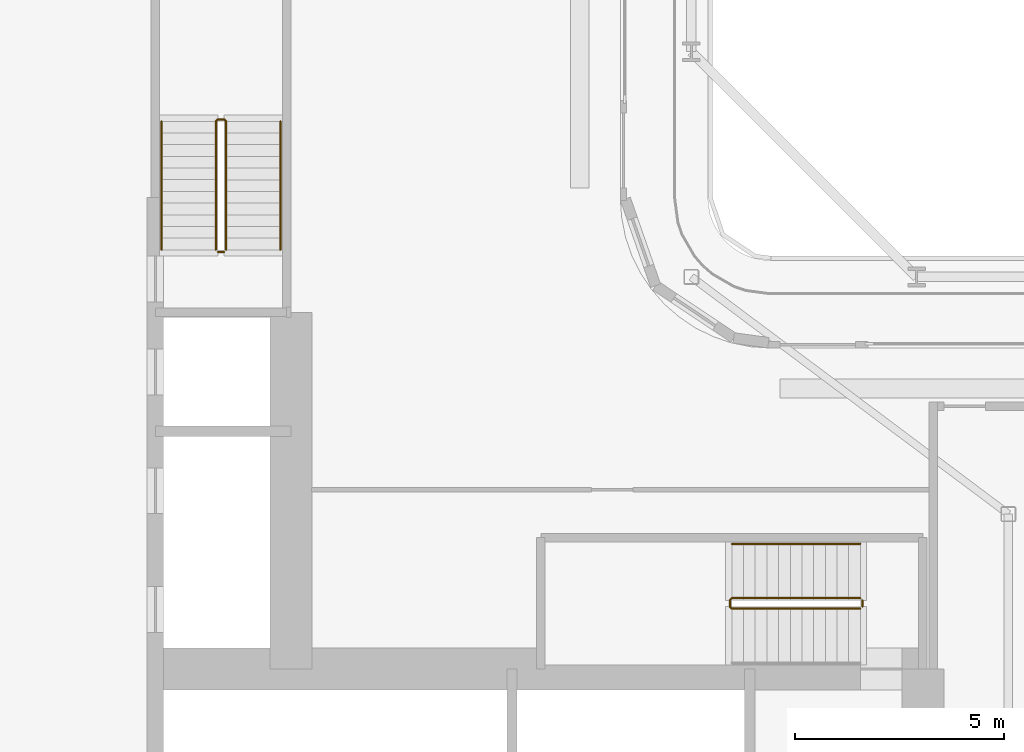
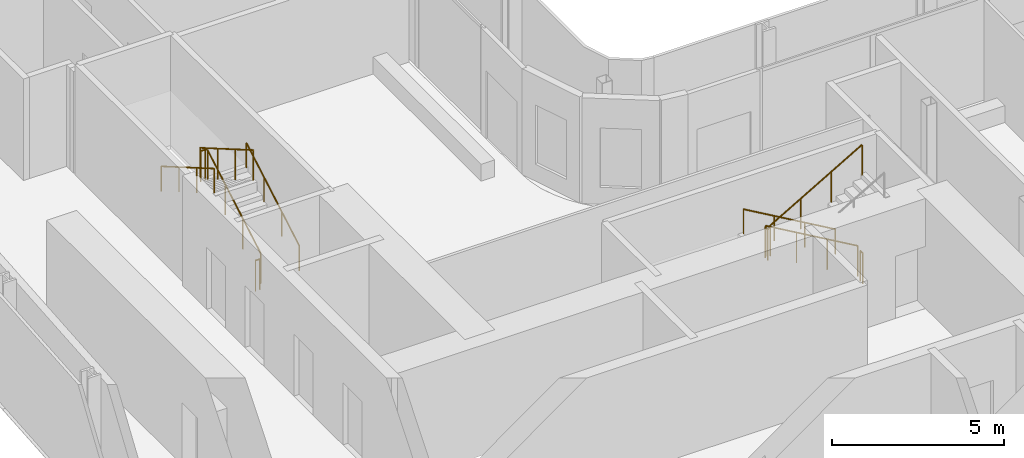
# One storey, part 22 of 27: 7 railings.
"""IFC4 building model written with IfcOpenShell, lengths in metres."""

from ifc_helpers import new_model, si_unit, direction, frame, origin, origin_2d, place, context, subcontext, project, spatial, circle, extrude, material, type_object, element, save


model = new_model("IFC4")

# Units and contexts
model_context = context("Model", 3, precision=1e-05, world=origin(), true_north=direction((0.0, 1.0)))
body_context = subcontext(model_context, "Body", "Model", "MODEL_VIEW")
ifc_project = project(units=[si_unit("LENGTHUNIT", "METRE"), si_unit("AREAUNIT", "SQUARE_METRE"), si_unit("VOLUMEUNIT", "CUBIC_METRE"), si_unit("PLANEANGLEUNIT", "RADIAN"), si_unit("MASSUNIT", "GRAM", prefix="KILO")], contexts=[model_context])

# Site, building, storey
site_placement = place(None, origin())
site = spatial("IfcSite", under=ifc_project, at=site_placement, CompositionType="ELEMENT")
building_placement = place(site_placement, origin())
building = spatial("IfcBuilding", under=site, at=building_placement, Name="Kheshtan School and Residences Tower", CompositionType="ELEMENT")
storey_placement = place(building_placement, frame((0.0, 0.0, 57.800048828125)))
storey = spatial("IfcBuildingStorey", under=building, at=storey_placement, Name="L13", CompositionType="ELEMENT", Elevation=57.800048828125)

# Railings
ifc_material_1 = material(Name="Stainless steel balustrade", Category="steel")
railing_type_1 = type_object("IfcRailingType", Name="Stair guard 1100", PredefinedType="GUARDRAIL", material=ifc_material_1)
railing_1_placement = place(storey_placement, frame((51.64990234375, 37.89990234375, 0.162353515625)))
element("IfcRailing", 1, at=railing_1_placement, inside=storey, type_object=railing_type_1, Name="L13 ST1 stair guard 1", PredefinedType="GUARDRAIL", context=body_context, shape_type="SweptSolid", body=[
    extrude(circle(Radius=0.02392578125, at=origin_2d()), frame((0.0, 0.0, 1.076171875), z_axis=(-0.864873446163, 0.0, 0.501989962173), x_axis=(0.0, -1.0, 0.0)), (0.0, 0.0, 1.0), 3.56103515625),
    extrude(circle(Radius=0.02392578125, at=origin_2d()), frame((-3.079833984375, 0.0, 2.86376953125), z_axis=(-0.708833529934, -0.705375805398, 0.0), x_axis=(0.705375805398, -0.708833529934, 0.0)), (0.0, 0.0, 1.0), 0.070556640625),
    extrude(circle(Radius=0.02392578125, at=origin_2d()), frame((-3.1298828125, -0.0498046875, 2.86376953125), z_axis=(0.0, -1.0, 0.0), x_axis=(1.0, 0.0, 0.0)), (0.0, 0.0, 1.0), 0.150146484375),
    extrude(circle(Radius=0.02392578125, at=origin_2d()), frame((-3.1298828125, -0.199951171875, 2.86376953125), z_axis=(0.282227285176, -0.282227285176, 0.916894497205), x_axis=(0.707106781187, 0.707106781187, 0.0)), (0.0, 0.0, 1.0), 0.17724609375),
    extrude(circle(Radius=0.02392578125, at=origin_2d()), frame((-3.079833984375, -0.25, 3.0263671875), z_axis=(0.864903211148, 0.0, 0.501938676878), x_axis=(0.0, 1.0, 0.0)), (0.0, 0.0, 1.0), 3.560791015625),
    extrude(circle(Radius=0.02099609375, at=origin_2d()), origin(), (0.0, 0.0, 1.0), 1.052001953125),
    extrude(circle(Radius=0.02099609375, at=origin_2d()), frame((-1.026611328125, 0.0, 0.595947265625)), (0.0, 0.0, 1.0), 1.052001953125),
    extrude(circle(Radius=0.02099609375, at=origin_2d()), frame((-2.05322265625, 0.0, 1.191650390625)), (0.0, 0.0, 1.0), 1.052001953125),
    extrude(circle(Radius=0.02099609375, at=origin_2d()), frame((-3.079833984375, 0.0, 1.78759765625)), (0.0, 0.0, 1.0), 1.052001953125),
    extrude(circle(Radius=0.02099609375, at=origin_2d()), frame((-3.1298828125, -0.0498046875, 1.78759765625)), (0.0, 0.0, 1.0), 1.052001953125),
    extrude(circle(Radius=0.02099609375, at=origin_2d()), frame((-3.1298828125, -0.199951171875, 1.78759765625)), (0.0, 0.0, 1.0), 1.052001953125),
    extrude(circle(Radius=0.02099609375, at=origin_2d()), frame((-3.079833984375, -0.25, 1.9501953125)), (0.0, 0.0, 1.0), 1.052001953125),
    extrude(circle(Radius=0.02099609375, at=origin_2d()), frame((-2.05322265625, -0.25, 2.5458984375)), (0.0, 0.0, 1.0), 1.052001953125),
    extrude(circle(Radius=0.02099609375, at=origin_2d()), frame((-1.026611328125, -0.25, 3.141845703125)), (0.0, 0.0, 1.0), 1.052001953125),
    extrude(circle(Radius=0.02099609375, at=origin_2d()), frame((0.0, -0.25, 3.737548828125)), (0.0, 0.0, 1.0), 1.052001953125),
])
railing_2_placement = place(storey_placement, frame((51.699951171875, 37.85009765625, 0.0)))
element("IfcRailing", 2, at=railing_2_placement, inside=storey, type_object=railing_type_1, Name="L13 ST1 stair guard 2", PredefinedType="GUARDRAIL", context=body_context, shape_type="SweptSolid", body=[
    extrude(circle(Radius=0.02392578125, at=origin_2d()), frame((0.0, 0.0, 1.076171875), z_axis=(0.0, -1.0, 0.0), x_axis=(1.0, 0.0, 0.0)), (0.0, 0.0, 1.0), 0.150146484375),
    extrude(circle(Radius=0.02099609375, at=origin_2d()), origin(), (0.0, 0.0, 1.0), 1.052001953125),
    extrude(circle(Radius=0.02099609375, at=origin_2d()), frame((0.0, -0.150146484375, 0.0)), (0.0, 0.0, 1.0), 1.052001953125),
])
railing_3_placement = place(storey_placement, frame((36.449951171875, 46.25, 0.162353515625)))
element("IfcRailing", 3, at=railing_3_placement, inside=storey, type_object=railing_type_1, Name="L13 ST2 stair guard 1", PredefinedType="GUARDRAIL", context=body_context, shape_type="SweptSolid", body=[
    extrude(circle(Radius=0.02392578125, at=origin_2d()), frame((0.0, 0.0, 1.076171875), z_axis=(0.0, 0.864890721111, 0.501960198159), x_axis=(-1.0, 0.0, 0.0)), (0.0, 0.0, 1.0), 3.561279296875),
    extrude(circle(Radius=0.02392578125, at=origin_2d()), frame((0.0, 3.080078125, 2.86376953125), z_axis=(-0.708833529934, 0.705375805398, 0.0), x_axis=(-0.705375805398, -0.708833529934, 0.0)), (0.0, 0.0, 1.0), 0.070556640625),
    extrude(circle(Radius=0.02392578125, at=origin_2d()), frame((-0.050048828125, 3.1298828125, 2.86376953125), z_axis=(-1.0, 0.0, 0.0), x_axis=(0.0, -1.0, 0.0)), (0.0, 0.0, 1.0), 0.14990234375),
    extrude(circle(Radius=0.02392578125, at=origin_2d()), frame((-0.199951171875, 3.1298828125, 2.86376953125), z_axis=(-0.282336740067, -0.280959487676, 0.917250092119), x_axis=(0.705375805398, -0.708833529934, 0.0)), (0.0, 0.0, 1.0), 0.17724609375),
    extrude(circle(Radius=0.02392578125, at=origin_2d()), frame((-0.25, 3.080078125, 3.0263671875), z_axis=(0.0, -0.864920483161, 0.501908913857), x_axis=(1.0, 0.0, 0.0)), (0.0, 0.0, 1.0), 3.56103515625),
    extrude(circle(Radius=0.02099609375, at=origin_2d()), origin(), (0.0, 0.0, 1.0), 1.052001953125),
    extrude(circle(Radius=0.02099609375, at=origin_2d()), frame((0.0, 1.026611328125, 0.595947265625)), (0.0, 0.0, 1.0), 1.052001953125),
    extrude(circle(Radius=0.02099609375, at=origin_2d()), frame((0.0, 2.053466796875, 1.191650390625)), (0.0, 0.0, 1.0), 1.052001953125),
    extrude(circle(Radius=0.02099609375, at=origin_2d()), frame((0.0, 3.080078125, 1.78759765625)), (0.0, 0.0, 1.0), 1.052001953125),
    extrude(circle(Radius=0.02099609375, at=origin_2d()), frame((-0.050048828125, 3.1298828125, 1.78759765625)), (0.0, 0.0, 1.0), 1.052001953125),
    extrude(circle(Radius=0.02099609375, at=origin_2d()), frame((-0.199951171875, 3.1298828125, 1.78759765625)), (0.0, 0.0, 1.0), 1.052001953125),
    extrude(circle(Radius=0.02099609375, at=origin_2d()), frame((-0.25, 3.080078125, 1.9501953125)), (0.0, 0.0, 1.0), 1.052001953125),
    extrude(circle(Radius=0.02099609375, at=origin_2d()), frame((-0.25, 2.053466796875, 2.5458984375)), (0.0, 0.0, 1.0), 1.052001953125),
    extrude(circle(Radius=0.02099609375, at=origin_2d()), frame((-0.25, 1.026611328125, 3.141845703125)), (0.0, 0.0, 1.0), 1.052001953125),
    extrude(circle(Radius=0.02099609375, at=origin_2d()), frame((-0.25, 0.0, 3.737548828125)), (0.0, 0.0, 1.0), 1.052001953125),
])
railing_4_placement = place(storey_placement, frame((36.39990234375, 46.199951171875, 0.0)))
element("IfcRailing", 4, at=railing_4_placement, inside=storey, type_object=railing_type_1, Name="L13 ST2 stair guard 2", PredefinedType="GUARDRAIL", context=body_context, shape_type="SweptSolid", body=[
    extrude(circle(Radius=0.02392578125, at=origin_2d()), frame((0.0, 0.0, 1.076171875), z_axis=(-1.0, 0.0, 0.0), x_axis=(0.0, -1.0, 0.0)), (0.0, 0.0, 1.0), 0.14990234375),
    extrude(circle(Radius=0.02099609375, at=origin_2d()), origin(), (0.0, 0.0, 1.0), 1.052001953125),
    extrude(circle(Radius=0.02099609375, at=origin_2d()), frame((-0.14990234375, 0.0, 0.0)), (0.0, 0.0, 1.0), 1.052001953125),
])
ifc_material_2 = material(Name="Stainless steel handrail", Category="steel")
railing_type_2 = type_object("IfcRailingType", Name="Stair handrail 900", PredefinedType="HANDRAIL", material=ifc_material_2)
railing_5_placement = place(storey_placement, frame((51.64990234375, 39.199951171875, 0.162353515625)))
element("IfcRailing", 5, at=railing_5_placement, inside=storey, type_object=railing_type_2, Name="L13 ST1 stair handrail 1", PredefinedType="HANDRAIL", context=body_context, shape_type="SweptSolid", body=[
    extrude(circle(Radius=0.02392578125, at=origin_2d()), frame((0.0, 0.0, 0.8759765625), z_axis=(-0.864873446163, 0.0, 0.501989962173), x_axis=(0.0, -1.0, 0.0)), (0.0, 0.0, 1.0), 3.56103515625),
    extrude(circle(Radius=0.02099609375, at=origin_2d()), origin(), (0.0, 0.0, 1.0), 0.851806640625),
    extrude(circle(Radius=0.02099609375, at=origin_2d()), frame((-1.026611328125, 0.0, 0.595947265625)), (0.0, 0.0, 1.0), 0.851806640625),
    extrude(circle(Radius=0.02099609375, at=origin_2d()), frame((-2.05322265625, 0.0, 1.191650390625)), (0.0, 0.0, 1.0), 0.851806640625),
    extrude(circle(Radius=0.02099609375, at=origin_2d()), frame((-3.079833984375, 0.0, 1.78759765625)), (0.0, 0.0, 1.0), 0.851806640625),
])
railing_6_placement = place(storey_placement, frame((37.75, 46.25, 0.162353515625)))
element("IfcRailing", 6, at=railing_6_placement, inside=storey, type_object=railing_type_2, Name="L13 ST2 stair handrail 1", PredefinedType="HANDRAIL", context=body_context, shape_type="SweptSolid", body=[
    extrude(circle(Radius=0.02392578125, at=origin_2d()), frame((0.0, 0.0, 0.8759765625), z_axis=(0.0, 0.864890721111, 0.501960198159), x_axis=(-1.0, 0.0, 0.0)), (0.0, 0.0, 1.0), 3.561279296875),
    extrude(circle(Radius=0.02099609375, at=origin_2d()), origin(), (0.0, 0.0, 1.0), 0.851806640625),
    extrude(circle(Radius=0.02099609375, at=origin_2d()), frame((0.0, 1.026611328125, 0.595947265625)), (0.0, 0.0, 1.0), 0.851806640625),
    extrude(circle(Radius=0.02099609375, at=origin_2d()), frame((0.0, 2.053466796875, 1.191650390625)), (0.0, 0.0, 1.0), 0.851806640625),
    extrude(circle(Radius=0.02099609375, at=origin_2d()), frame((0.0, 3.080078125, 1.78759765625)), (0.0, 0.0, 1.0), 0.851806640625),
])
railing_7_placement = place(storey_placement, frame((34.89990234375, 49.330078125, 2.112548828125)))
element("IfcRailing", 7, at=railing_7_placement, inside=storey, type_object=railing_type_2, Name="L13 ST2 stair handrail 2", PredefinedType="HANDRAIL", context=body_context, shape_type="SweptSolid", body=[
    extrude(circle(Radius=0.02392578125, at=origin_2d()), frame((0.0, 0.0, 0.8759765625), z_axis=(0.0, -0.864920483161, 0.501908913857), x_axis=(1.0, 0.0, 0.0)), (0.0, 0.0, 1.0), 3.56103515625),
    extrude(circle(Radius=0.02099609375, at=origin_2d()), origin(), (0.0, 0.0, 1.0), 0.851806640625),
    extrude(circle(Radius=0.02099609375, at=origin_2d()), frame((0.0, -1.026611328125, 0.595703125)), (0.0, 0.0, 1.0), 0.851806640625),
    extrude(circle(Radius=0.02099609375, at=origin_2d()), frame((0.0, -2.053466796875, 1.191650390625)), (0.0, 0.0, 1.0), 0.851806640625),
    extrude(circle(Radius=0.02099609375, at=origin_2d()), frame((0.0, -3.080078125, 1.787353515625)), (0.0, 0.0, 1.0), 0.851806640625),
])

save(model, "model.ifc")
